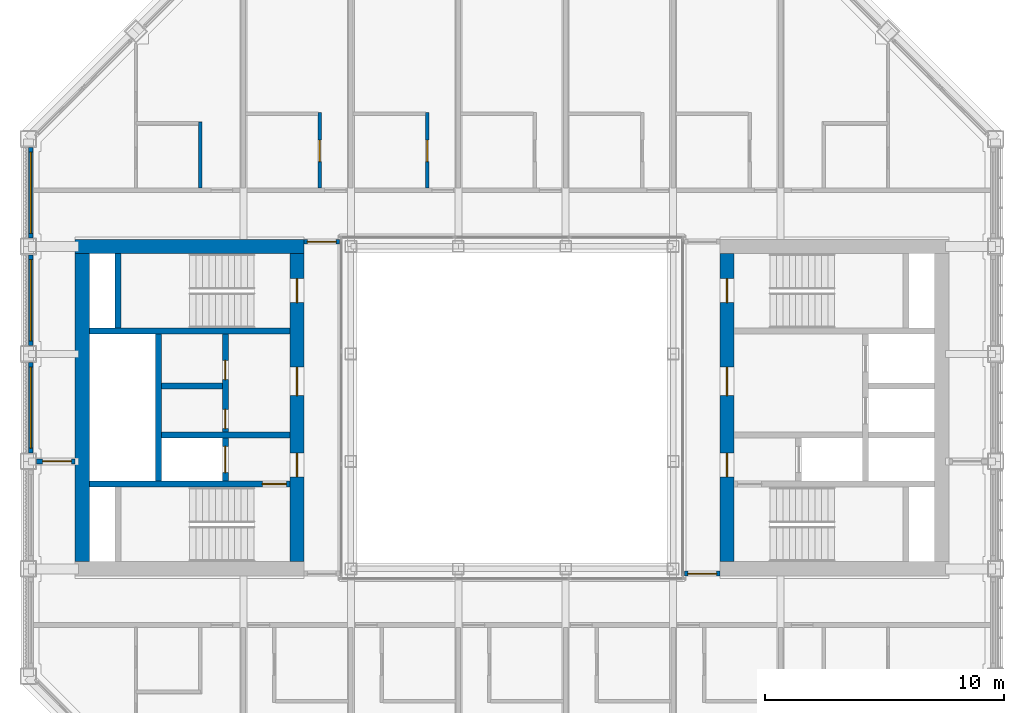
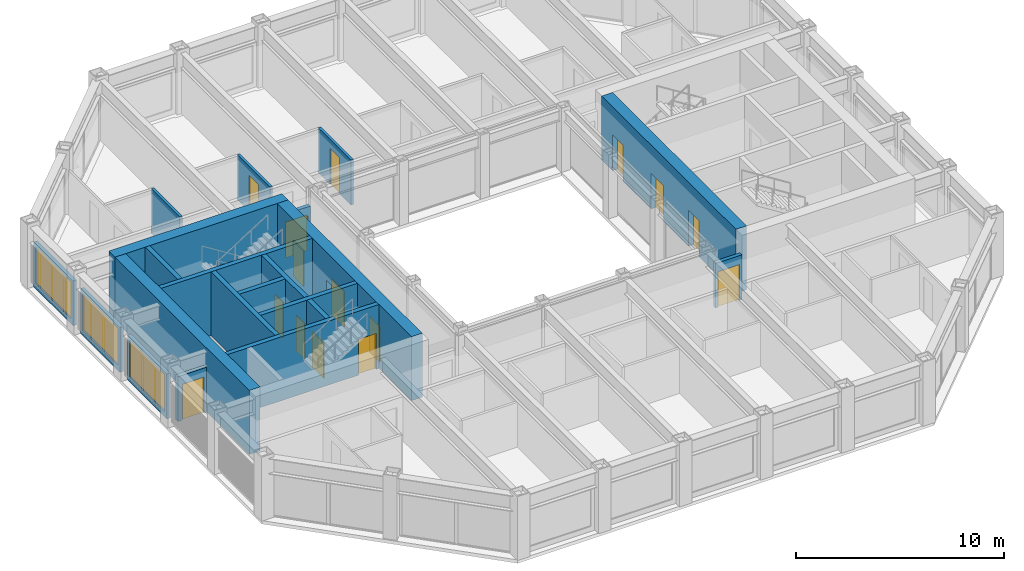
# One storey, part 10 of 18: 20 walls, 15 doors, 3 windows, 18 openings.
"""IFC4 building model written with IfcOpenShell, lengths in metres."""

from ifc_helpers import new_model, si_unit, direction, frame, frame_2d, origin, place, context, subcontext, project, spatial, rectangle, extrude, material, layer, layer_set, type_object, element, fill, save


model = new_model("IFC4")

# Units and contexts
model_context = context("Model", 3, precision=1e-05, world=origin(), true_north=direction((0.0, 1.0)))
body_context = subcontext(model_context, "Body", "Model", "MODEL_VIEW")
ifc_project = project(units=[si_unit("LENGTHUNIT", "METRE"), si_unit("AREAUNIT", "SQUARE_METRE"), si_unit("VOLUMEUNIT", "CUBIC_METRE"), si_unit("PLANEANGLEUNIT", "RADIAN"), si_unit("MASSUNIT", "GRAM", prefix="KILO")], contexts=[model_context])

# Site, building, storey
site_placement = place(None, origin())
site = spatial("IfcSite", under=ifc_project, at=site_placement, CompositionType="ELEMENT")
building_placement = place(site_placement, origin())
building = spatial("IfcBuilding", under=site, at=building_placement, Name="Msasa Ring Tower", CompositionType="ELEMENT")
storey_placement = place(building_placement, frame((0.0, 0.0, 204.550048828125)))
storey = spatial("IfcBuildingStorey", under=building, at=storey_placement, Name="L53", CompositionType="ELEMENT", Elevation=204.550048828125)

# Wall, openings, doors
ifc_material_1 = material(Name="Concrete C60/75", Category="concrete")
ifc_layer_1 = layer(ifc_material_1, 0.60009765625)
ifc_layer_set_1 = layer_set([ifc_layer_1], Name="CW3 CORE WALL 600")
wall_type_1 = type_object("IfcWallType", Name="CW3 CORE WALL 600", PredefinedType="SHEAR", material=ifc_layer_set_1)
wall_1_placement = place(storey_placement, frame((9.0, -6.449951171875, 0.0), z_axis=(0.0, 0.0, 1.0), x_axis=(0.0, 1.0, 0.0)))
wall_1 = element("IfcWall", 1, at=wall_1_placement, inside=storey, type_object=wall_type_1, Name="E core wall W L53", PredefinedType="SHEAR", context=body_context, shape_type="SweptSolid", body=[
    extrude(rectangle(XDim=12.89990234375, YDim=0.60009765625, at=frame_2d((6.449951171875, 0.0))), origin(), (0.0, 0.0, 1.0), 3.75),
])
opening_1_placement = place(wall_1_placement, frame((3.550048828125, 0.0, 0.0)))
opening_1 = element("IfcOpeningElement", 2, at=opening_1_placement, cuts=wall_1, Name="Opening SA-028", PredefinedType="OPENING", context=body_context, shape_type="SweptSolid", body=[
    extrude(rectangle(XDim=1.0, YDim=2.10009765625, at=frame_2d((0.5, 1.050048828125))), frame((0.0, 0.31005859375, 0.0), z_axis=(0.0, -1.0, 0.0), x_axis=(1.0, 0.0, 0.0)), (0.0, 0.0, 1.0), 0.6201171875),
])
opening_2_placement = place(wall_1_placement, frame((6.949951171875, 0.0, 0.0)))
opening_2 = element("IfcOpeningElement", 3, at=opening_2_placement, cuts=wall_1, Name="Opening SA-023", PredefinedType="OPENING", context=body_context, shape_type="SweptSolid", body=[
    extrude(rectangle(XDim=1.199951171875, YDim=2.10009765625, at=frame_2d((0.60009765625, 1.050048828125))), frame((0.0, 0.31005859375, 0.0), z_axis=(0.0, -1.0, 0.0), x_axis=(1.0, 0.0, 0.0)), (0.0, 0.0, 1.0), 0.6201171875),
])
opening_3_placement = place(wall_1_placement, frame((10.85009765625, 0.0, 0.0)))
opening_3 = element("IfcOpeningElement", 4, at=opening_3_placement, cuts=wall_1, Name="Opening SA-020", PredefinedType="OPENING", context=body_context, shape_type="SweptSolid", body=[
    extrude(rectangle(XDim=1.0, YDim=2.10009765625, at=frame_2d((0.5, 1.050048828125))), frame((0.0, 0.31005859375, 0.0), z_axis=(0.0, -1.0, 0.0), x_axis=(1.0, 0.0, 0.0)), (0.0, 0.0, 1.0), 0.6201171875),
])
ifc_material_2 = material(Name="Timber door leaf in a steel frame", Category="steel")
door_type_1 = type_object("IfcDoorType", Name="D4 LOBBY DOOR 1000x2100", OperationType="SINGLE_SWING_LEFT", PredefinedType="DOOR", material=ifc_material_2)
door_1_placement = place(opening_1_placement, origin())
door_1 = element("IfcDoor", 5, at=door_1_placement, inside=storey, type_object=door_type_1, Name="Door L53-EFFL", OperationType="SINGLE_SWING_LEFT", OverallHeight=2.10009765625, OverallWidth=1.0, PredefinedType="DOOR", context=body_context, shape_type="SweptSolid", body=[
    extrude(rectangle(XDim=1.0, YDim=2.10009765625, at=frame_2d((0.5, 1.050048828125))), frame((0.0, 0.02490234375, 0.0), z_axis=(0.0, -1.0, 0.0), x_axis=(1.0, 0.0, 0.0)), (0.0, 0.0, 1.0), 0.050048828125),
])
fill(opening_1, door_1)
ifc_material_3 = material(Name="Timber door leaf in a steel frame", Category="steel")
door_type_2 = type_object("IfcDoorType", Name="D5 WIDE LOBBY DOOR 1200x2100", OperationType="SINGLE_SWING_LEFT", PredefinedType="DOOR", material=ifc_material_3)
door_2_placement = place(opening_2_placement, origin())
door_2 = element("IfcDoor", 6, at=door_2_placement, inside=storey, type_object=door_type_2, Name="Door L53-ELL", OperationType="SINGLE_SWING_RIGHT", OverallHeight=2.10009765625, OverallWidth=1.199951171875, PredefinedType="DOOR", context=body_context, shape_type="SweptSolid", body=[
    extrude(rectangle(XDim=1.199951171875, YDim=2.10009765625, at=frame_2d((0.60009765625, 1.050048828125))), frame((0.0, 0.02490234375, 0.0), z_axis=(0.0, -1.0, 0.0), x_axis=(1.0, 0.0, 0.0)), (0.0, 0.0, 1.0), 0.050048828125),
])
fill(opening_2, door_2)
ifc_material_4 = material(Name="Timber door leaf in a steel frame", Category="steel")
door_type_3 = type_object("IfcDoorType", Name="D6 STAIR DOOR 1000x2100", OperationType="SINGLE_SWING_LEFT", PredefinedType="DOOR", material=ifc_material_4)
door_3_placement = place(opening_3_placement, origin())
door_3 = element("IfcDoor", 7, at=door_3_placement, inside=storey, type_object=door_type_3, Name="Door L53-ESTB", OperationType="SINGLE_SWING_RIGHT", OverallHeight=2.10009765625, OverallWidth=1.0, PredefinedType="DOOR", context=body_context, shape_type="SweptSolid", body=[
    extrude(rectangle(XDim=1.0, YDim=2.10009765625, at=frame_2d((0.5, 1.050048828125))), frame((0.0, 0.02490234375, 0.0), z_axis=(0.0, -1.0, 0.0), x_axis=(1.0, 0.0, 0.0)), (0.0, 0.0, 1.0), 0.050048828125),
])
fill(opening_3, door_3)

# Wall
wall_2_placement = place(storey_placement, frame((-8.699951171875, 6.75, 0.0), z_axis=(0.0, 0.0, 1.0), x_axis=(-1.0, 0.0, 0.0)))
element("IfcWall", 8, at=wall_2_placement, inside=storey, type_object=wall_type_1, Name="W core wall N L53", PredefinedType="SHEAR", context=body_context, shape_type="SweptSolid", body=[
    extrude(rectangle(XDim=9.60009765625, YDim=0.60009765625, at=frame_2d((4.800048828125, 0.0))), origin(), (0.0, 0.0, 1.0), 3.75),
])

# Wall, openings, doors
wall_3_placement = place(storey_placement, frame((-9.0, -6.449951171875, 0.0), z_axis=(0.0, 0.0, 1.0), x_axis=(0.0, 1.0, 0.0)))
wall_3 = element("IfcWall", 9, at=wall_3_placement, inside=storey, type_object=wall_type_1, Name="W core wall W L53", PredefinedType="SHEAR", context=body_context, shape_type="SweptSolid", body=[
    extrude(rectangle(XDim=12.89990234375, YDim=0.60009765625, at=frame_2d((6.449951171875, 0.0))), origin(), (0.0, 0.0, 1.0), 3.75),
])
opening_4_placement = place(wall_3_placement, frame((3.550048828125, 0.0, 0.0)))
opening_4 = element("IfcOpeningElement", 10, at=opening_4_placement, cuts=wall_3, Name="Opening SA-027", PredefinedType="OPENING", context=body_context, shape_type="SweptSolid", body=[
    extrude(rectangle(XDim=1.0, YDim=2.10009765625, at=frame_2d((0.5, 1.050048828125))), frame((0.0, 0.31005859375, 0.0), z_axis=(0.0, -1.0, 0.0), x_axis=(1.0, 0.0, 0.0)), (0.0, 0.0, 1.0), 0.6201171875),
])
opening_5_placement = place(wall_3_placement, frame((6.949951171875, 0.0, 0.0)))
opening_5 = element("IfcOpeningElement", 11, at=opening_5_placement, cuts=wall_3, Name="Opening SA-022", PredefinedType="OPENING", context=body_context, shape_type="SweptSolid", body=[
    extrude(rectangle(XDim=1.199951171875, YDim=2.10009765625, at=frame_2d((0.60009765625, 1.050048828125))), frame((0.0, 0.31005859375, 0.0), z_axis=(0.0, -1.0, 0.0), x_axis=(1.0, 0.0, 0.0)), (0.0, 0.0, 1.0), 0.6201171875),
])
opening_6_placement = place(wall_3_placement, frame((10.85009765625, 0.0, 0.0)))
opening_6 = element("IfcOpeningElement", 12, at=opening_6_placement, cuts=wall_3, Name="Opening SA-019", PredefinedType="OPENING", context=body_context, shape_type="SweptSolid", body=[
    extrude(rectangle(XDim=1.0, YDim=2.10009765625, at=frame_2d((0.5, 1.050048828125))), frame((0.0, 0.31005859375, 0.0), z_axis=(0.0, -1.0, 0.0), x_axis=(1.0, 0.0, 0.0)), (0.0, 0.0, 1.0), 0.6201171875),
])
door_4_placement = place(opening_4_placement, origin())
door_4 = element("IfcDoor", 13, at=door_4_placement, inside=storey, type_object=door_type_1, Name="Door L53-WFFL", OperationType="SINGLE_SWING_LEFT", OverallHeight=2.10009765625, OverallWidth=1.0, PredefinedType="DOOR", context=body_context, shape_type="SweptSolid", body=[
    extrude(rectangle(XDim=1.0, YDim=2.10009765625, at=frame_2d((0.5, 1.050048828125))), frame((0.0, 0.02490234375, 0.0), z_axis=(0.0, -1.0, 0.0), x_axis=(1.0, 0.0, 0.0)), (0.0, 0.0, 1.0), 0.050048828125),
])
fill(opening_4, door_4)
door_5_placement = place(opening_5_placement, origin())
door_5 = element("IfcDoor", 14, at=door_5_placement, inside=storey, type_object=door_type_2, Name="Door L53-WLL", OperationType="SINGLE_SWING_RIGHT", OverallHeight=2.10009765625, OverallWidth=1.199951171875, PredefinedType="DOOR", context=body_context, shape_type="SweptSolid", body=[
    extrude(rectangle(XDim=1.199951171875, YDim=2.10009765625, at=frame_2d((0.60009765625, 1.050048828125))), frame((0.0, 0.02490234375, 0.0), z_axis=(0.0, -1.0, 0.0), x_axis=(1.0, 0.0, 0.0)), (0.0, 0.0, 1.0), 0.050048828125),
])
fill(opening_5, door_5)
door_6_placement = place(opening_6_placement, origin())
door_6 = element("IfcDoor", 15, at=door_6_placement, inside=storey, type_object=door_type_3, Name="Door L53-WSTB", OperationType="SINGLE_SWING_RIGHT", OverallHeight=2.10009765625, OverallWidth=1.0, PredefinedType="DOOR", context=body_context, shape_type="SweptSolid", body=[
    extrude(rectangle(XDim=1.0, YDim=2.10009765625, at=frame_2d((0.5, 1.050048828125))), frame((0.0, 0.02490234375, 0.0), z_axis=(0.0, -1.0, 0.0), x_axis=(1.0, 0.0, 0.0)), (0.0, 0.0, 1.0), 0.050048828125),
])
fill(opening_6, door_6)

# Wall
wall_4_placement = place(storey_placement, frame((-18.0, -6.449951171875, 0.0), z_axis=(0.0, 0.0, 1.0), x_axis=(0.0, 1.0, 0.0)))
element("IfcWall", 16, at=wall_4_placement, inside=storey, type_object=wall_type_1, Name="W core wall E L53", PredefinedType="SHEAR", context=body_context, shape_type="SweptSolid", body=[
    extrude(rectangle(XDim=12.89990234375, YDim=0.60009765625, at=frame_2d((6.449951171875, 0.0))), origin(), (0.0, 0.0, 1.0), 3.75),
])

# Wall, opening, door
ifc_material_5 = material(Name="Concrete C60/75", Category="concrete")
ifc_layer_2 = layer(ifc_material_5, 0.25)
ifc_layer_set_2 = layer_set([ifc_layer_2], Name="CW4 CORE INNER WALL 250")
wall_type_2 = type_object("IfcWallType", Name="CW4 CORE INNER WALL 250", PredefinedType="SHEAR", material=ifc_layer_set_2)
wall_5_placement = place(storey_placement, frame((-9.300048828125, -3.199951171875, 0.0), z_axis=(0.0, 0.0, 1.0), x_axis=(-1.0, 0.0, 0.0)))
wall_5 = element("IfcWall", 17, at=wall_5_placement, inside=storey, type_object=wall_type_2, Name="W core wall STAIRA L53", PredefinedType="SHEAR", context=body_context, shape_type="SweptSolid", body=[
    extrude(rectangle(XDim=8.39990234375, YDim=0.25, at=frame_2d((4.199951171875, 0.0))), origin(), (0.0, 0.0, 1.0), 3.75),
])
opening_7_placement = place(wall_5_placement, frame((0.14990234375, 0.0, 0.0)))
opening_7 = element("IfcOpeningElement", 18, at=opening_7_placement, cuts=wall_5, Name="Opening SA-029", PredefinedType="OPENING", context=body_context, shape_type="SweptSolid", body=[
    extrude(rectangle(XDim=1.0, YDim=2.10009765625, at=frame_2d((0.5, 1.050048828125))), frame((0.0, 0.135009765625, 0.0), z_axis=(0.0, -1.0, 0.0), x_axis=(1.0, 0.0, 0.0)), (0.0, 0.0, 1.0), 0.27001953125),
])
door_7_placement = place(opening_7_placement, origin())
door_7 = element("IfcDoor", 19, at=door_7_placement, inside=storey, type_object=door_type_3, Name="Door L53-WSTA", OperationType="SINGLE_SWING_LEFT", OverallHeight=2.10009765625, OverallWidth=1.0, PredefinedType="DOOR", context=body_context, shape_type="SweptSolid", body=[
    extrude(rectangle(XDim=1.0, YDim=2.10009765625, at=frame_2d((0.5, 1.050048828125))), frame((0.0, 0.02490234375, 0.0), z_axis=(0.0, -1.0, 0.0), x_axis=(1.0, 0.0, 0.0)), (0.0, 0.0, 1.0), 0.050048828125),
])
fill(opening_7, door_7)

# Walls
wall_6_placement = place(storey_placement, frame((-9.300048828125, 3.199951171875, 0.0), z_axis=(0.0, 0.0, 1.0), x_axis=(-1.0, 0.0, 0.0)))
element("IfcWall", 20, at=wall_6_placement, inside=storey, type_object=wall_type_2, Name="W core wall STAIRB L53", PredefinedType="SHEAR", context=body_context, shape_type="SweptSolid", body=[
    extrude(rectangle(XDim=8.39990234375, YDim=0.25, at=frame_2d((4.199951171875, 0.0))), origin(), (0.0, 0.0, 1.0), 3.75),
])
wall_7_placement = place(storey_placement, frame((-16.5, 3.324951171875, 0.0), z_axis=(0.0, 0.0, 1.0), x_axis=(0.0, 1.0, 0.0)))
element("IfcWall", 21, at=wall_7_placement, inside=storey, type_object=wall_type_2, Name="W core wall RISERB L53", PredefinedType="SHEAR", context=body_context, shape_type="SweptSolid", body=[
    extrude(rectangle(XDim=3.125, YDim=0.25, at=frame_2d((1.5625, 0.0))), origin(), (0.0, 0.0, 1.0), 3.75),
])
wall_8_placement = place(storey_placement, frame((-9.300048828125, -1.14990234375, 0.0), z_axis=(0.0, 0.0, 1.0), x_axis=(-1.0, 0.0, 0.0)))
element("IfcWall", 22, at=wall_8_placement, inside=storey, type_object=wall_type_2, Name="W core wall FFL L53", PredefinedType="SHEAR", context=body_context, shape_type="SweptSolid", body=[
    extrude(rectangle(XDim=5.375, YDim=0.25, at=frame_2d((2.6875, 0.0))), origin(), (0.0, 0.0, 1.0), 3.75),
])

# Wall, openings, doors
wall_9_placement = place(storey_placement, frame((-12.0, -3.074951171875, 0.0), z_axis=(0.0, 0.0, 1.0), x_axis=(0.0, 1.0, 0.0)))
wall_9 = element("IfcWall", 23, at=wall_9_placement, inside=storey, type_object=wall_type_2, Name="W core wall LOBBY L53", PredefinedType="SHEAR", context=body_context, shape_type="SweptSolid", body=[
    extrude(rectangle(XDim=6.14990234375, YDim=0.25, at=frame_2d((3.074951171875, 0.0))), origin(), (0.0, 0.0, 1.0), 3.75),
])
opening_8_placement = place(wall_9_placement, frame((2.199951171875, 0.0, 0.0)))
opening_8 = element("IfcOpeningElement", 24, at=opening_8_placement, cuts=wall_9, Name="Opening SA-024", PredefinedType="OPENING", context=body_context, shape_type="SweptSolid", body=[
    extrude(rectangle(XDim=0.800048828125, YDim=2.10009765625, at=frame_2d((0.39990234375, 1.050048828125))), frame((0.0, 0.135009765625, 0.0), z_axis=(0.0, -1.0, 0.0), x_axis=(1.0, 0.0, 0.0)), (0.0, 0.0, 1.0), 0.27001953125),
])
opening_9_placement = place(wall_9_placement, frame((4.25, 0.0, 0.0)))
opening_9 = element("IfcOpeningElement", 25, at=opening_9_placement, cuts=wall_9, Name="Opening SA-021", PredefinedType="OPENING", context=body_context, shape_type="SweptSolid", body=[
    extrude(rectangle(XDim=0.800048828125, YDim=2.10009765625, at=frame_2d((0.39990234375, 1.050048828125))), frame((0.0, 0.135009765625, 0.0), z_axis=(0.0, -1.0, 0.0), x_axis=(1.0, 0.0, 0.0)), (0.0, 0.0, 1.0), 0.27001953125),
])
opening_10_placement = place(wall_9_placement, frame((0.35009765625, 0.0, 0.0)))
opening_10 = element("IfcOpeningElement", 26, at=opening_10_placement, cuts=wall_9, Name="Opening LD1", PredefinedType="OPENING", context=body_context, shape_type="SweptSolid", body=[
    extrude(rectangle(XDim=1.10009765625, YDim=2.10009765625, at=frame_2d((0.550048828125, 1.050048828125))), frame((0.0, 0.135009765625, 0.0), z_axis=(0.0, -1.0, 0.0), x_axis=(1.0, 0.0, 0.0)), (0.0, 0.0, 1.0), 0.27001953125),
])
ifc_material_6 = material(Name="Timber door leaf in a steel frame", Category="steel")
door_type_4 = type_object("IfcDoorType", Name="D9 NARROW SERVICE DOOR 800x2100", OperationType="SINGLE_SWING_LEFT", PredefinedType="DOOR", material=ifc_material_6)
door_8_placement = place(opening_8_placement, origin())
door_8 = element("IfcDoor", 27, at=door_8_placement, inside=storey, type_object=door_type_4, Name="Door L53-WR1", OperationType="SINGLE_SWING_LEFT", OverallHeight=2.10009765625, OverallWidth=0.800048828125, PredefinedType="DOOR", context=body_context, shape_type="SweptSolid", body=[
    extrude(rectangle(XDim=0.800048828125, YDim=2.10009765625, at=frame_2d((0.39990234375, 1.050048828125))), frame((0.0, 0.02490234375, 0.0), z_axis=(0.0, -1.0, 0.0), x_axis=(1.0, 0.0, 0.0)), (0.0, 0.0, 1.0), 0.050048828125),
])
fill(opening_8, door_8)
door_9_placement = place(opening_9_placement, origin())
door_9 = element("IfcDoor", 28, at=door_9_placement, inside=storey, type_object=door_type_4, Name="Door L53-WR2", OperationType="SINGLE_SWING_RIGHT", OverallHeight=2.10009765625, OverallWidth=0.800048828125, PredefinedType="DOOR", context=body_context, shape_type="SweptSolid", body=[
    extrude(rectangle(XDim=0.800048828125, YDim=2.10009765625, at=frame_2d((0.39990234375, 1.050048828125))), frame((0.0, 0.02490234375, 0.0), z_axis=(0.0, -1.0, 0.0), x_axis=(1.0, 0.0, 0.0)), (0.0, 0.0, 1.0), 0.050048828125),
])
fill(opening_9, door_9)
ifc_material_7 = material(Name="Stainless steel lift landing door", Category="steel")
door_type_5 = type_object("IfcDoorType", Name="LD1 LIFT LANDING DOOR 1100x2100", OperationType="DOUBLE_DOOR_SLIDING", PredefinedType="DOOR", material=ifc_material_7)
door_10_placement = place(opening_10_placement, origin())
door_10 = element("IfcDoor", 29, at=door_10_placement, inside=storey, type_object=door_type_5, Name="Lift landing door FL-W L53", OperationType="DOUBLE_DOOR_SLIDING", OverallHeight=2.10009765625, OverallWidth=1.10009765625, PredefinedType="DOOR", context=body_context, shape_type="SweptSolid", body=[
    extrude(rectangle(XDim=1.10009765625, YDim=2.10009765625, at=frame_2d((0.550048828125, 1.050048828125))), frame((0.0, 0.02490234375, 0.0), z_axis=(0.0, -1.0, 0.0), x_axis=(1.0, 0.0, 0.0)), (0.0, 0.0, 1.0), 0.050048828125),
])
fill(opening_10, door_10)

# Walls
wall_10_placement = place(storey_placement, frame((-14.800048828125, -3.074951171875, 0.0), z_axis=(0.0, 0.0, 1.0), x_axis=(0.0, 1.0, 0.0)))
element("IfcWall", 30, at=wall_10_placement, inside=storey, type_object=wall_type_2, Name="W core wall SHAFT L53", PredefinedType="SHEAR", context=body_context, shape_type="SweptSolid", body=[
    extrude(rectangle(XDim=6.14990234375, YDim=0.25, at=frame_2d((3.074951171875, 0.0))), origin(), (0.0, 0.0, 1.0), 3.75),
])
wall_11_placement = place(storey_placement, frame((-12.125, 0.89990234375, 0.0), z_axis=(0.0, 0.0, 1.0), x_axis=(-1.0, 0.0, 0.0)))
element("IfcWall", 31, at=wall_11_placement, inside=storey, type_object=wall_type_2, Name="W core wall LIFT1 L53", PredefinedType="SHEAR", context=body_context, shape_type="SweptSolid", body=[
    extrude(rectangle(XDim=2.550048828125, YDim=0.25, at=frame_2d((1.27490234375, 0.0))), origin(), (0.0, 0.0, 1.0), 3.75),
])

# Wall, opening, window
ifc_material_8 = material(Name="Terracotta rainscreen on blockwork", Category="masonry")
ifc_layer_3 = layer(ifc_material_8, 0.199951171875)
ifc_layer_set_3 = layer_set([ifc_layer_3], Name="FW1 TERRACOTTA-LINED INFILL BAY WALL 200")
wall_type_3 = type_object("IfcWallType", Name="FW1 TERRACOTTA-LINED INFILL BAY WALL 200", PredefinedType="SOLIDWALL", material=ifc_layer_set_3)
wall_12_placement = place(storey_placement, frame((-20.14990234375, -1.89501953125, 0.0), z_axis=(0.0, 0.0, 1.0), x_axis=(0.0, 1.0, 0.0)))
wall_12 = element("IfcWall", 32, at=wall_12_placement, inside=storey, type_object=wall_type_3, Name="Infill bay wall W L53 23", PredefinedType="SOLIDWALL", context=body_context, shape_type="SweptSolid", body=[
    extrude(rectangle(XDim=3.7900390625, YDim=0.199951171875, at=frame_2d((1.89501953125, 0.0))), origin(), (0.0, 0.0, 1.0), 2.62890625),
])
opening_11_placement = place(wall_12_placement, frame((0.195068359375, 0.0, 0.300048828125)))
opening_11 = element("IfcOpeningElement", 33, at=opening_11_placement, cuts=wall_12, Name="Opening WN3", PredefinedType="OPENING", context=body_context, shape_type="SweptSolid", body=[
    extrude(rectangle(XDim=3.39990234375, YDim=2.178955078125, at=frame_2d((1.699951171875, 1.08935546875))), frame((0.0, 0.10986328125, 0.0), z_axis=(0.0, -1.0, 0.0), x_axis=(1.0, 0.0, 0.0)), (0.0, 0.0, 1.0), 0.219970703125),
])
ifc_material_9 = material(Name="Aluminium frame with clear glass", Category="aluminium")
window_type = type_object("IfcWindowType", Name="WN3 SUITE WINDOW 3400x2179", PartitioningType="SINGLE_PANEL", PredefinedType="WINDOW", material=ifc_material_9)
window_1_placement = place(opening_11_placement, origin())
window_1 = element("IfcWindow", 34, at=window_1_placement, inside=storey, type_object=window_type, Name="Window W L53 23", OverallHeight=2.178955078125, OverallWidth=3.39990234375, PartitioningType="SINGLE_PANEL", PredefinedType="WINDOW", context=body_context, shape_type="SweptSolid", body=[
    extrude(rectangle(XDim=3.39990234375, YDim=2.178955078125, at=frame_2d((1.699951171875, 1.08935546875))), frame((0.0, 0.030029296875, 0.0), z_axis=(0.0, -1.0, 0.0), x_axis=(1.0, 0.0, 0.0)), (0.0, 0.0, 1.0), 0.06005859375),
])
fill(opening_11, window_1)

wall_13_placement = place(storey_placement, frame((-20.14990234375, 2.60498046875, 0.0), z_axis=(0.0, 0.0, 1.0), x_axis=(0.0, 1.0, 0.0)))
wall_13 = element("IfcWall", 35, at=wall_13_placement, inside=storey, type_object=wall_type_3, Name="Infill bay wall W L53 24", PredefinedType="SOLIDWALL", context=body_context, shape_type="SweptSolid", body=[
    extrude(rectangle(XDim=3.7900390625, YDim=0.199951171875, at=frame_2d((1.89501953125, 0.0))), origin(), (0.0, 0.0, 1.0), 2.62890625),
])
opening_12_placement = place(wall_13_placement, frame((0.195068359375, 0.0, 0.300048828125)))
opening_12 = element("IfcOpeningElement", 36, at=opening_12_placement, cuts=wall_13, Name="Opening WN3", PredefinedType="OPENING", context=body_context, shape_type="SweptSolid", body=[
    extrude(rectangle(XDim=3.39990234375, YDim=2.178955078125, at=frame_2d((1.699951171875, 1.08935546875))), frame((0.0, 0.10986328125, 0.0), z_axis=(0.0, -1.0, 0.0), x_axis=(1.0, 0.0, 0.0)), (0.0, 0.0, 1.0), 0.219970703125),
])
window_2_placement = place(opening_12_placement, origin())
window_2 = element("IfcWindow", 37, at=window_2_placement, inside=storey, type_object=window_type, Name="Window W L53 24", OverallHeight=2.178955078125, OverallWidth=3.39990234375, PartitioningType="SINGLE_PANEL", PredefinedType="WINDOW", context=body_context, shape_type="SweptSolid", body=[
    extrude(rectangle(XDim=3.39990234375, YDim=2.178955078125, at=frame_2d((1.699951171875, 1.08935546875))), frame((0.0, 0.030029296875, 0.0), z_axis=(0.0, -1.0, 0.0), x_axis=(1.0, 0.0, 0.0)), (0.0, 0.0, 1.0), 0.06005859375),
])
fill(opening_12, window_2)

wall_14_placement = place(storey_placement, frame((-20.14990234375, 7.10498046875, 0.0), z_axis=(0.0, 0.0, 1.0), x_axis=(0.0, 1.0, 0.0)))
wall_14 = element("IfcWall", 38, at=wall_14_placement, inside=storey, type_object=wall_type_3, Name="Infill bay wall W L53 25", PredefinedType="SOLIDWALL", context=body_context, shape_type="SweptSolid", body=[
    extrude(rectangle(XDim=3.7900390625, YDim=0.199951171875, at=frame_2d((1.89501953125, 0.0))), origin(), (0.0, 0.0, 1.0), 2.62890625),
])
opening_13_placement = place(wall_14_placement, frame((0.195068359375, 0.0, 0.300048828125)))
opening_13 = element("IfcOpeningElement", 39, at=opening_13_placement, cuts=wall_14, Name="Opening WN3", PredefinedType="OPENING", context=body_context, shape_type="SweptSolid", body=[
    extrude(rectangle(XDim=3.39990234375, YDim=2.178955078125, at=frame_2d((1.699951171875, 1.08935546875))), frame((0.0, 0.10986328125, 0.0), z_axis=(0.0, -1.0, 0.0), x_axis=(1.0, 0.0, 0.0)), (0.0, 0.0, 1.0), 0.219970703125),
])
window_3_placement = place(opening_13_placement, origin())
window_3 = element("IfcWindow", 40, at=window_3_placement, inside=storey, type_object=window_type, Name="Window W L53 25", OverallHeight=2.178955078125, OverallWidth=3.39990234375, PartitioningType="SINGLE_PANEL", PredefinedType="WINDOW", context=body_context, shape_type="SweptSolid", body=[
    extrude(rectangle(XDim=3.39990234375, YDim=2.178955078125, at=frame_2d((1.699951171875, 1.08935546875))), frame((0.0, 0.030029296875, 0.0), z_axis=(0.0, -1.0, 0.0), x_axis=(1.0, 0.0, 0.0)), (0.0, 0.0, 1.0), 0.06005859375),
])
fill(opening_13, window_3)

# Wall, opening, door
ifc_material_10 = material(Name="Concrete blockwork", Category="masonry")
ifc_layer_4 = layer(ifc_material_10, 0.199951171875)
ifc_layer_set_4 = layer_set([ifc_layer_4], Name="PT1 CORRIDOR WALL 200")
wall_type_4 = type_object("IfcWallType", Name="PT1 CORRIDOR WALL 200", PredefinedType="PARTITIONING", material=ifc_layer_set_4)
wall_15_placement = place(storey_placement, frame((-19.89990234375, -2.25, 0.0), z_axis=(0.0, 0.0, 1.0), x_axis=(1.0, 0.0, 0.0)))
wall_15 = element("IfcWall", 41, at=wall_15_placement, inside=storey, type_object=wall_type_4, Name="Corridor wall L53-WSW", PredefinedType="PARTITIONING", context=body_context, shape_type="SweptSolid", body=[
    extrude(rectangle(XDim=1.599853515625, YDim=0.199951171875, at=frame_2d((0.7998046875, 0.0))), origin(), (0.0, 0.0, 1.0), 2.62890625),
])
opening_14_placement = place(wall_15_placement, frame((0.25, 0.0, 0.0)))
opening_14 = element("IfcOpeningElement", 42, at=opening_14_placement, cuts=wall_15, Name="Opening SA-025", PredefinedType="OPENING", context=body_context, shape_type="SweptSolid", body=[
    extrude(rectangle(XDim=1.199951171875, YDim=2.10009765625, at=frame_2d((0.60009765625, 1.050048828125))), frame((0.0, 0.10986328125, 0.0), z_axis=(0.0, -1.0, 0.0), x_axis=(1.0, 0.0, 0.0)), (0.0, 0.0, 1.0), 0.219970703125),
])
ifc_material_11 = material(Name="Timber door leaf in a steel frame", Category="steel")
door_type_6 = type_object("IfcDoorType", Name="D25 CORRIDOR PAIR OF SMOKE DOORS 1200x2100", OperationType="DOUBLE_DOOR_DOUBLE_SWING", PredefinedType="DOOR", material=ifc_material_11)
door_11_placement = place(opening_14_placement, origin())
door_11 = element("IfcDoor", 43, at=door_11_placement, inside=storey, type_object=door_type_6, Name="Door L53-WSW", OperationType="DOUBLE_DOOR_DOUBLE_SWING", OverallHeight=2.10009765625, OverallWidth=1.199951171875, PredefinedType="DOOR", context=body_context, shape_type="SweptSolid", body=[
    extrude(rectangle(XDim=1.199951171875, YDim=2.10009765625, at=frame_2d((0.60009765625, 1.050048828125))), frame((0.0, 0.02490234375, 0.0), z_axis=(0.0, -1.0, 0.0), x_axis=(1.0, 0.0, 0.0)), (0.0, 0.0, 1.0), 0.050048828125),
])
fill(opening_14, door_11)

wall_16_placement = place(storey_placement, frame((7.22998046875, -6.949951171875, 0.0), z_axis=(0.0, 0.0, 1.0), x_axis=(1.0, 0.0, 0.0)))
wall_16 = element("IfcWall", 44, at=wall_16_placement, inside=storey, type_object=wall_type_4, Name="Corridor wall L53-SDES", PredefinedType="PARTITIONING", context=body_context, shape_type="SweptSolid", body=[
    extrude(rectangle(XDim=1.469970703125, YDim=0.199951171875, at=frame_2d((0.73486328125, 0.0))), origin(), (0.0, 0.0, 1.0), 2.62890625),
])
opening_15_placement = place(wall_16_placement, frame((0.135009765625, 0.0, 0.0)))
opening_15 = element("IfcOpeningElement", 45, at=opening_15_placement, cuts=wall_16, Name="Opening SA-032", PredefinedType="OPENING", context=body_context, shape_type="SweptSolid", body=[
    extrude(rectangle(XDim=1.199951171875, YDim=2.10009765625, at=frame_2d((0.60009765625, 1.050048828125))), frame((0.0, 0.10986328125, 0.0), z_axis=(0.0, -1.0, 0.0), x_axis=(1.0, 0.0, 0.0)), (0.0, 0.0, 1.0), 0.219970703125),
])
door_12_placement = place(opening_15_placement, origin())
door_12 = element("IfcDoor", 46, at=door_12_placement, inside=storey, type_object=door_type_6, Name="Door L53-SDES", OperationType="DOUBLE_DOOR_DOUBLE_SWING", OverallHeight=2.10009765625, OverallWidth=1.199951171875, PredefinedType="DOOR", context=body_context, shape_type="SweptSolid", body=[
    extrude(rectangle(XDim=1.199951171875, YDim=2.10009765625, at=frame_2d((0.60009765625, 1.050048828125))), frame((0.0, 0.02490234375, 0.0), z_axis=(0.0, -1.0, 0.0), x_axis=(1.0, 0.0, 0.0)), (0.0, 0.0, 1.0), 0.050048828125),
])
fill(opening_15, door_12)

wall_17_placement = place(storey_placement, frame((-8.699951171875, 6.949951171875, 0.0), z_axis=(0.0, 0.0, 1.0), x_axis=(1.0, 0.0, 0.0)))
wall_17 = element("IfcWall", 47, at=wall_17_placement, inside=storey, type_object=wall_type_4, Name="Corridor wall L53-SDWN", PredefinedType="PARTITIONING", context=body_context, shape_type="SweptSolid", body=[
    extrude(rectangle(XDim=1.469970703125, YDim=0.199951171875, at=frame_2d((0.73486328125, 0.0))), origin(), (0.0, 0.0, 1.0), 2.62890625),
])
opening_16_placement = place(wall_17_placement, frame((0.135009765625, 0.0, 0.0)))
opening_16 = element("IfcOpeningElement", 48, at=opening_16_placement, cuts=wall_17, Name="Opening SA-017", PredefinedType="OPENING", context=body_context, shape_type="SweptSolid", body=[
    extrude(rectangle(XDim=1.199951171875, YDim=2.10009765625, at=frame_2d((0.60009765625, 1.050048828125))), frame((0.0, 0.10986328125, 0.0), z_axis=(0.0, -1.0, 0.0), x_axis=(1.0, 0.0, 0.0)), (0.0, 0.0, 1.0), 0.219970703125),
])
door_13_placement = place(opening_16_placement, origin())
door_13 = element("IfcDoor", 49, at=door_13_placement, inside=storey, type_object=door_type_6, Name="Door L53-SDWN", OperationType="DOUBLE_DOOR_DOUBLE_SWING", OverallHeight=2.10009765625, OverallWidth=1.199951171875, PredefinedType="DOOR", context=body_context, shape_type="SweptSolid", body=[
    extrude(rectangle(XDim=1.199951171875, YDim=2.10009765625, at=frame_2d((0.60009765625, 1.050048828125))), frame((0.0, 0.02490234375, 0.0), z_axis=(0.0, -1.0, 0.0), x_axis=(1.0, 0.0, 0.0)), (0.0, 0.0, 1.0), 0.050048828125),
])
fill(opening_16, door_13)

ifc_material_12 = material(Name="Moisture-resistant board on steel studs with a concealed cistern and pipe void, tiled", Category="steel")
ifc_layer_5 = layer(ifc_material_12, 0.14990234375)
ifc_layer_set_5 = layer_set([ifc_layer_5], Name="PT4 BATHROOM WET WALL 150")
wall_type_5 = type_object("IfcWallType", Name="PT4 BATHROOM WET WALL 150", PredefinedType="PARTITIONING", material=ifc_layer_set_5)
wall_18_placement = place(storey_placement, frame((-8.050048828125, 9.199951171875, 0.0), z_axis=(0.0, 0.0, 1.0), x_axis=(0.0, 1.0, 0.0)))
wall_18 = element("IfcWall", 50, at=wall_18_placement, inside=storey, type_object=wall_type_5, Name="Partition L53-JN00BX", PredefinedType="PARTITIONING", context=body_context, shape_type="SweptSolid", body=[
    extrude(rectangle(XDim=3.150146484375, YDim=0.14990234375, at=frame_2d((1.5751953125, 0.0))), origin(), (0.0, 0.0, 1.0), 2.62890625),
])
opening_17_placement = place(wall_18_placement, frame((1.10009765625, 0.0, 0.0)))
opening_17 = element("IfcOpeningElement", 51, at=opening_17_placement, cuts=wall_18, Name="Opening SA-003", PredefinedType="OPENING", context=body_context, shape_type="SweptSolid", body=[
    extrude(rectangle(XDim=0.89990234375, YDim=2.10009765625, at=frame_2d((0.449951171875, 1.050048828125))), frame((0.0, 0.0849609375, 0.0), z_axis=(0.0, -1.0, 0.0), x_axis=(1.0, 0.0, 0.0)), (0.0, 0.0, 1.0), 0.169921875),
])
ifc_material_13 = material(Name="Timber door leaf in a steel frame", Category="steel")
door_type_7 = type_object("IfcDoorType", Name="D3 BATHROOM DOOR 900x2100", OperationType="SINGLE_SWING_LEFT", PredefinedType="DOOR", material=ifc_material_13)
door_14_placement = place(opening_17_placement, origin())
door_14 = element("IfcDoor", 52, at=door_14_placement, inside=storey, type_object=door_type_7, Name="Door L53-JN00B", OperationType="SINGLE_SWING_LEFT", OverallHeight=2.10009765625, OverallWidth=0.89990234375, PredefinedType="DOOR", context=body_context, shape_type="SweptSolid", body=[
    extrude(rectangle(XDim=0.89990234375, YDim=2.10009765625, at=frame_2d((0.449951171875, 1.050048828125))), frame((0.0, 0.02490234375, 0.0), z_axis=(0.0, -1.0, 0.0), x_axis=(1.0, 0.0, 0.0)), (0.0, 0.0, 1.0), 0.050048828125),
])
fill(opening_17, door_14)

wall_19_placement = place(storey_placement, frame((-3.550048828125, 9.199951171875, 0.0), z_axis=(0.0, 0.0, 1.0), x_axis=(0.0, 1.0, 0.0)))
wall_19 = element("IfcWall", 53, at=wall_19_placement, inside=storey, type_object=wall_type_5, Name="Partition L53-JN01BX", PredefinedType="PARTITIONING", context=body_context, shape_type="SweptSolid", body=[
    extrude(rectangle(XDim=3.150146484375, YDim=0.14990234375, at=frame_2d((1.5751953125, 0.0))), origin(), (0.0, 0.0, 1.0), 2.62890625),
])
opening_18_placement = place(wall_19_placement, frame((1.10009765625, 0.0, 0.0)))
opening_18 = element("IfcOpeningElement", 54, at=opening_18_placement, cuts=wall_19, Name="Opening SA-004", PredefinedType="OPENING", context=body_context, shape_type="SweptSolid", body=[
    extrude(rectangle(XDim=0.89990234375, YDim=2.10009765625, at=frame_2d((0.449951171875, 1.050048828125))), frame((0.0, 0.0849609375, 0.0), z_axis=(0.0, -1.0, 0.0), x_axis=(1.0, 0.0, 0.0)), (0.0, 0.0, 1.0), 0.169921875),
])
door_15_placement = place(opening_18_placement, origin())
door_15 = element("IfcDoor", 55, at=door_15_placement, inside=storey, type_object=door_type_7, Name="Door L53-JN01B", OperationType="SINGLE_SWING_LEFT", OverallHeight=2.10009765625, OverallWidth=0.89990234375, PredefinedType="DOOR", context=body_context, shape_type="SweptSolid", body=[
    extrude(rectangle(XDim=0.89990234375, YDim=2.10009765625, at=frame_2d((0.449951171875, 1.050048828125))), frame((0.0, 0.02490234375, 0.0), z_axis=(0.0, -1.0, 0.0), x_axis=(1.0, 0.0, 0.0)), (0.0, 0.0, 1.0), 0.050048828125),
])
fill(opening_18, door_15)

# Wall
wall_20_placement = place(storey_placement, frame((-13.050048828125, 9.199951171875, 0.0), z_axis=(0.0, 0.0, 1.0), x_axis=(0.0, 1.0, 0.0)))
element("IfcWall", 56, at=wall_20_placement, inside=storey, type_object=wall_type_5, Name="Partition L53-CSNWBX", PredefinedType="PARTITIONING", context=body_context, shape_type="SweptSolid", body=[
    extrude(rectangle(XDim=2.75, YDim=0.14990234375, at=frame_2d((1.375, 0.0))), origin(), (0.0, 0.0, 1.0), 2.62890625),
])

save(model, "model.ifc")
